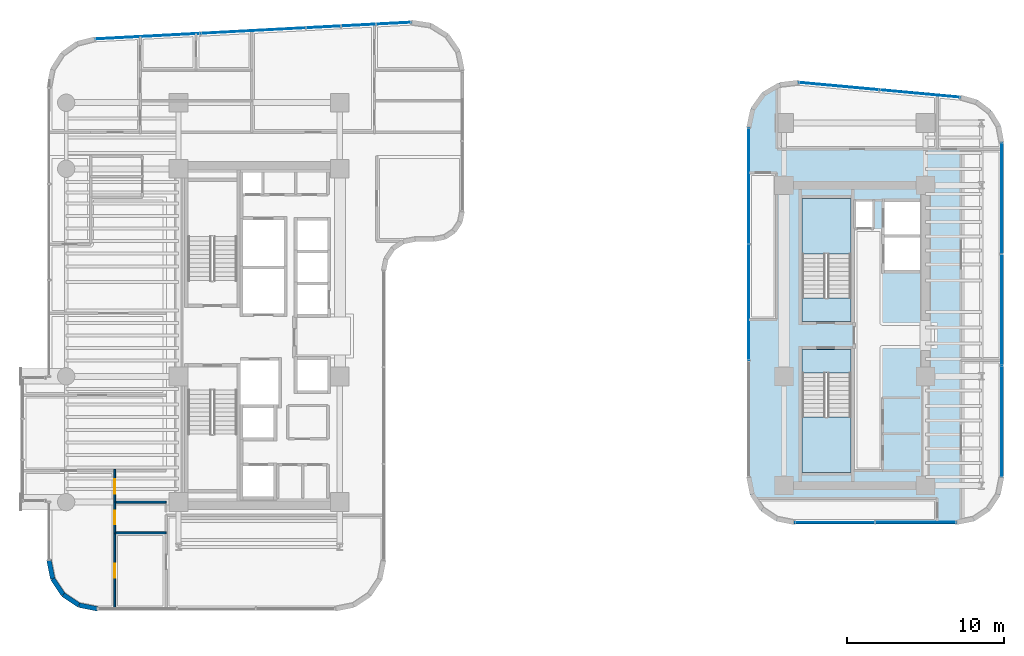
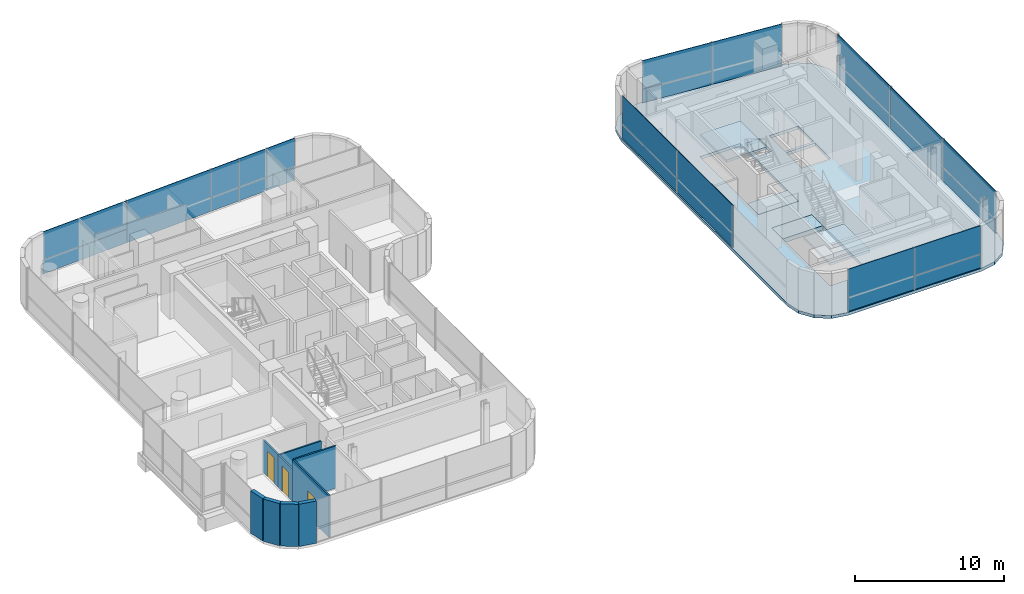
# One storey, part 25 of 34: 23 plates, 9 walls, 5 slabs, 3 doors, 3 openings, 7 elements without a shape of their own.
"""IFC4 building model written with IfcOpenShell, lengths in metres."""

from ifc_helpers import new_model, si_unit, direction, frame, frame_2d, origin, origin_2d, place, context, subcontext, project, spatial, polyline, rectangle, outline, extrude, source, transform, mapped, material, layer, layer_set, type_object, element, fill, aggregate, save


model = new_model("IFC4")

# Units and contexts
model_context = context("Model", 3, precision=1e-05, world=origin(), true_north=direction((0.0, 1.0)))
body_context = subcontext(model_context, "Body", "Model", "MODEL_VIEW")
ifc_project = project(units=[si_unit("LENGTHUNIT", "METRE"), si_unit("AREAUNIT", "SQUARE_METRE"), si_unit("VOLUMEUNIT", "CUBIC_METRE"), si_unit("PLANEANGLEUNIT", "RADIAN"), si_unit("MASSUNIT", "GRAM", prefix="KILO")], contexts=[model_context])

# Site, building, storey
site_placement = place(None, origin())
site = spatial("IfcSite", under=ifc_project, at=site_placement, CompositionType="ELEMENT")
building_placement = place(site_placement, origin())
building = spatial("IfcBuilding", under=site, at=building_placement, Name="Valdorenza Pilgrim Sanctuary Tower", CompositionType="ELEMENT")
storey_placement = place(building_placement, frame((0.0, 0.0, 161.199951171875)))
storey = spatial("IfcBuildingStorey", under=building, at=storey_placement, Name="L41", CompositionType="ELEMENT", Elevation=161.199951171875)

# Slab
ifc_material_1 = material(Name="Concrete C40/50", Category="concrete")
ifc_layer_1 = layer(ifc_material_1, 0.239990234375, Name="Concrete C40/50")
ifc_layer_set_1 = layer_set([ifc_layer_1], Name="Concrete C40/50")
slab_type_1 = type_object("IfcSlabType", Name="SLAB-FLR-220", PredefinedType="FLOOR", material=ifc_layer_set_1)
slab_1_placement = place(storey_placement, frame((0.0, 0.0, -0.239990234375)))
element("IfcSlab", 1, at=slab_1_placement, inside=storey, type_object=slab_type_1, Name="L41 Structural Floor Slab 2", PredefinedType="FLOOR", context=body_context, shape_type="SweptSolid", body=[
    extrude(outline(polyline([(13.5, 13.211181640625), (13.75537109375, 14.422607421875), (14.478271484375, 15.427490234375), (15.54541015625, 16.055419921875), (16.77490234375, 16.198486328125), (27.074951171875, 15.250732421875), (28.135986328125, 14.949462890625), (29.016357421875, 14.28515625), (29.59716796875, 13.34765625), (29.800048828125, 12.263427734375), (29.800048828125, -9.0), (29.571533203125, -10.148193359375), (28.92138671875, -11.121337890625), (27.947998046875, -11.771484375), (26.800048828125, -12.0), (16.5, -12.0), (15.351806640625, -11.771484375), (14.378662109375, -11.121337890625), (13.728515625, -10.148193359375), (13.5, -9.0), (13.5, 13.211181640625)]), holes=[polyline([(17.0, -8.699951171875), (20.110107421875, -8.699951171875), (20.110107421875, -2.385009765625), (20.110107421875, -0.89990234375), (17.0, -0.89990234375), (17.0, -2.385009765625), (17.0, -8.699951171875)]), polyline([(17.0, 0.89990234375), (20.110107421875, 0.89990234375), (20.110107421875, 2.385009765625), (20.110107421875, 8.699951171875), (17.0, 8.699951171875), (17.0, 2.385009765625), (17.0, 0.89990234375)]), polyline([(22.25, 4.14990234375), (24.47998046875, 4.14990234375), (24.47998046875, 6.22509765625), (22.25, 6.22509765625), (22.25, 4.14990234375)]), polyline([(22.25, 6.425048828125), (24.47998046875, 6.425048828125), (24.47998046875, 8.5), (22.25, 8.5), (22.25, 6.425048828125)]), polyline([(20.409912109375, 6.860107421875), (21.489990234375, 6.860107421875), (21.489990234375, 8.52001953125), (20.409912109375, 8.52001953125), (20.409912109375, 6.860107421875)])]), origin(), (0.0, 0.0, 1.0), 0.239990234375),
])

# Stair, slab
stair_type = type_object("IfcStairType", Name="STR-DOG-CORE", PredefinedType="HALF_TURN_STAIR", material=ifc_material_1)
stair_1_placement = place(storey_placement, origin())
stair_1 = element("IfcStair", 2, at=stair_1_placement, inside=storey, type_object=stair_type, Name="L41 ST-B1", PredefinedType="HALF_TURN_STAIR")
ifc_layer_2 = layer(ifc_material_1, 0.199951171875, Name="Concrete C40/50")
ifc_layer_set_2 = layer_set([ifc_layer_2], Name="Concrete C40/50")
slab_type_2 = type_object("IfcSlabType", Name="SLAB-STL-200", PredefinedType="LANDING", material=ifc_layer_set_2)
slab_2_placement = place(storey_placement, frame((0.0, 0.0, 1.650146484375)))
slab_2 = element("IfcSlab", 3, at=slab_2_placement, type_object=slab_type_2, Name="ST-B1 landing 1", PredefinedType="LANDING", context=body_context, shape_type="SweptSolid", body=[
    extrude(outline(polyline([(20.110107421875, 5.179931640625), (20.110107421875, 8.699951171875), (17.0, 8.699951171875), (17.0, 5.179931640625), (20.110107421875, 5.179931640625)])), origin(), (0.0, 0.0, 1.0), 0.199951171875),
])
aggregate(stair_1, [slab_2])

stair_2_placement = place(storey_placement, origin())
stair_2 = element("IfcStair", 4, at=stair_2_placement, inside=storey, type_object=stair_type, Name="L41 ST-B2", PredefinedType="HALF_TURN_STAIR")
slab_3_placement = place(storey_placement, frame((0.0, 0.0, 1.650146484375)))
slab_3 = element("IfcSlab", 5, at=slab_3_placement, type_object=slab_type_2, Name="ST-B2 landing 1", PredefinedType="LANDING", context=body_context, shape_type="SweptSolid", body=[
    extrude(outline(polyline([(17.0, -5.179931640625), (17.0, -8.699951171875), (20.110107421875, -8.699951171875), (20.110107421875, -5.179931640625), (17.0, -5.179931640625)])), origin(), (0.0, 0.0, 1.0), 0.199951171875),
])
aggregate(stair_2, [slab_3])

# Slabs
ifc_material_2 = material(Name="Concrete C50/60", Category="concrete")
ifc_layer_3 = layer(ifc_material_2, 0.39990234375, Name="Concrete C50/60")
ifc_layer_set_3 = layer_set([ifc_layer_3], Name="Concrete C50/60")
slab_type_3 = type_object("IfcSlabType", Name="SLAB-TRF-400", PredefinedType="FLOOR", material=ifc_layer_set_3)
slab_4_placement = place(storey_placement, frame((0.0, 0.0, -0.35986328125)))
element("IfcSlab", 6, at=slab_4_placement, inside=storey, type_object=slab_type_3, Name="L41 ST-B1 Structural Stair Landing Bearing Slab", PredefinedType="FLOOR", context=body_context, shape_type="SweptSolid", body=[
    extrude(outline(polyline([(17.0, 0.89990234375), (20.110107421875, 0.89990234375), (20.110107421875, 2.385009765625), (17.0, 2.385009765625), (17.0, 0.89990234375)])), origin(), (0.0, 0.0, 1.0), 0.35986328125),
])
slab_5_placement = place(storey_placement, frame((0.0, 0.0, -0.35986328125)))
element("IfcSlab", 7, at=slab_5_placement, inside=storey, type_object=slab_type_3, Name="L41 ST-B2 Structural Stair Landing Bearing Slab", PredefinedType="FLOOR", context=body_context, shape_type="SweptSolid", body=[
    extrude(outline(polyline([(17.0, -2.385009765625), (20.110107421875, -2.385009765625), (20.110107421875, -0.89990234375), (17.0, -0.89990234375), (17.0, -2.385009765625)])), origin(), (0.0, 0.0, 1.0), 0.35986328125),
])

# Curtain wall, plates
ifc_material_3 = material(Name="Curtain-wall IGU glazing", Category="glass")
curtain_wall_type_1 = type_object("IfcCurtainWallType", Name="CW-SYS-02", PredefinedType="NOTDEFINED", material=ifc_material_3)
curtain_wall_1_placement = place(storey_placement, origin())
curtain_wall_1 = element("IfcCurtainWall", 8, at=curtain_wall_1_placement, inside=storey, type_object=curtain_wall_type_1, Name="L41 Curtain Wall CW-L41-1-6", PredefinedType="NOTDEFINED")
ifc_material_4 = material(Name="Honed travertine limestone", Category="masonry")
ifc_layer_4 = layer(ifc_material_4, 0.050048828125, Name="Honed travertine limestone")
ifc_layer_set_4 = layer_set([ifc_layer_4], Name="Honed travertine limestone")
plate_type_1 = type_object("IfcPlateType", Name="CW-SPN-TRV", PredefinedType="USERDEFINED", material=ifc_layer_set_4)
shared_shape_1 = source(origin(), body_context, "Body", "SweptSolid", [
    extrude(rectangle(XDim=6.68212890625, YDim=0.06005859375, at=origin_2d()), origin(), (0.0, 0.0, 1.0), 1.10009765625),
])
plate_1_placement = place(storey_placement, frame((-24.606201171875, 19.027587890625, 0.010009765625), z_axis=(0.0, 0.0, 1.0), x_axis=(0.998607524712, 0.052754256601, 0.0)))
plate_1 = element("IfcPlate", 9, at=plate_1_placement, type_object=plate_type_1, Name="CW-L41-1-6 Travertine Spandrel 1", ObjectType="SPANDREL", PredefinedType="USERDEFINED", context=body_context, shape_type="MappedRepresentation", body=[
    mapped(shared_shape_1, transform((0.0, 0.0, 0.0), x_axis=(1.0, 0.0, 0.0), y_axis=(0.0, 1.0, 0.0), z_axis=(0.0, 0.0, 1.0), scale=1.0)),
])
ifc_material_5 = material(Name="Ceramic-fritted low-E IGU glazing", Category="glass")
ifc_layer_5 = layer(ifc_material_5, 0.035888671875, Name="Ceramic-fritted low-E IGU glazing")
ifc_layer_set_5 = layer_set([ifc_layer_5], Name="Ceramic-fritted low-E IGU glazing")
plate_type_2 = type_object("IfcPlateType", Name="CW-GLZ-IGU", PredefinedType="USERDEFINED", material=ifc_layer_set_5)
shared_shape_2 = source(origin(), body_context, "Body", "SweptSolid", [
    extrude(rectangle(XDim=6.68212890625, YDim=0.050048828125, at=origin_2d()), origin(), (0.0, 0.0, 1.0), 2.320068359375),
])
plate_2_placement = place(storey_placement, frame((-24.606201171875, 19.027587890625, 1.1298828125), z_axis=(0.0, 0.0, 1.0), x_axis=(0.998607524712, 0.052754256601, 0.0)))
plate_2 = element("IfcPlate", 10, at=plate_2_placement, type_object=plate_type_2, Name="CW-L41-1-6 Facade Panel 1", ObjectType="GLAZING", PredefinedType="USERDEFINED", context=body_context, shape_type="MappedRepresentation", body=[
    mapped(shared_shape_2, transform((0.0, 0.0, 0.0), x_axis=(1.0, 0.0, 0.0), y_axis=(0.0, 1.0, 0.0), z_axis=(0.0, 0.0, 1.0), scale=1.0)),
])
shared_shape_3 = source(origin(), body_context, "Body", "SweptSolid", [
    extrude(rectangle(XDim=6.68212890625, YDim=0.050048828125, at=origin_2d()), origin(), (0.0, 0.0, 1.0), 3.43994140625),
])
plate_3_placement = place(storey_placement, frame((-17.913330078125, 19.381103515625, 0.010009765625), z_axis=(0.0, 0.0, 1.0), x_axis=(0.998607524712, 0.052754256601, 0.0)))
plate_3 = element("IfcPlate", 11, at=plate_3_placement, type_object=plate_type_2, Name="CW-L41-1-6 Full-Height Facade Panel 2", ObjectType="GLAZING", PredefinedType="USERDEFINED", context=body_context, shape_type="MappedRepresentation", body=[
    mapped(shared_shape_3, transform((0.0, 0.0, 0.0), x_axis=(1.0, 0.0, 0.0), y_axis=(0.0, 1.0, 0.0), z_axis=(0.0, 0.0, 1.0), scale=1.0)),
])

curtain_wall_type_2 = type_object("IfcCurtainWallType", Name="CW-SYS-03", PredefinedType="NOTDEFINED", material=ifc_material_3)
curtain_wall_2_placement = place(storey_placement, origin())
curtain_wall_2 = element("IfcCurtainWall", 12, at=curtain_wall_2_placement, inside=storey, type_object=curtain_wall_type_2, Name="L41 Curtain Wall CW-L41-2-1", PredefinedType="NOTDEFINED")
shared_shape_4 = source(origin(), body_context, "Body", "SweptSolid", [
    extrude(rectangle(XDim=7.376220703125, YDim=0.06005859375, at=origin_2d()), origin(), (0.0, 0.0, 1.0), 1.10009765625),
])
plate_4_placement = place(storey_placement, frame((13.610107421875, 9.501708984375, 0.010009765625), z_axis=(0.0, 0.0, 1.0), x_axis=(0.0, 1.0, 0.0)))
plate_4 = element("IfcPlate", 13, at=plate_4_placement, type_object=plate_type_1, Name="CW-L41-2-1 Travertine Spandrel 3", ObjectType="SPANDREL", PredefinedType="USERDEFINED", context=body_context, shape_type="MappedRepresentation", body=[
    mapped(shared_shape_4, transform((0.0, 0.0, 0.0), x_axis=(1.0, 0.0, 0.0), y_axis=(0.0, 1.0, 0.0), z_axis=(0.0, 0.0, 1.0), scale=1.0)),
])
shared_shape_5 = source(origin(), body_context, "Body", "SweptSolid", [
    extrude(rectangle(XDim=7.376220703125, YDim=0.050048828125, at=origin_2d()), origin(), (0.0, 0.0, 1.0), 2.320068359375),
])
plate_5_placement = place(storey_placement, frame((13.610107421875, 9.501708984375, 1.1298828125), z_axis=(0.0, 0.0, 1.0), x_axis=(0.0, 1.0, 0.0)))
plate_5 = element("IfcPlate", 14, at=plate_5_placement, type_object=plate_type_2, Name="CW-L41-2-1 Facade Panel 3", ObjectType="GLAZING", PredefinedType="USERDEFINED", context=body_context, shape_type="MappedRepresentation", body=[
    mapped(shared_shape_5, transform((0.0, 0.0, 0.0), x_axis=(1.0, 0.0, 0.0), y_axis=(0.0, 1.0, 0.0), z_axis=(0.0, 0.0, 1.0), scale=1.0)),
])
shared_shape_6 = source(origin(), body_context, "Body", "SweptSolid", [
    extrude(rectangle(XDim=7.376220703125, YDim=0.050048828125, at=origin_2d()), origin(), (0.0, 0.0, 1.0), 3.43994140625),
])
plate_6_placement = place(storey_placement, frame((13.610107421875, 2.105224609375, 0.010009765625), z_axis=(0.0, 0.0, 1.0), x_axis=(0.0, 1.0, 0.0)))
plate_6 = element("IfcPlate", 15, at=plate_6_placement, type_object=plate_type_2, Name="CW-L41-2-1 Full-Height Facade Panel 2", ObjectType="GLAZING", PredefinedType="USERDEFINED", context=body_context, shape_type="MappedRepresentation", body=[
    mapped(shared_shape_6, transform((0.0, 0.0, 0.0), x_axis=(1.0, 0.0, 0.0), y_axis=(0.0, 1.0, 0.0), z_axis=(0.0, 0.0, 1.0), scale=1.0)),
])
aggregate(curtain_wall_2, [plate_6, plate_4, plate_5])

curtain_wall_3_placement = place(storey_placement, origin())
curtain_wall_3 = element("IfcCurtainWall", 16, at=curtain_wall_3_placement, inside=storey, type_object=curtain_wall_type_2, Name="L41 Curtain Wall CW-L41-2-6", PredefinedType="NOTDEFINED")
shared_shape_7 = source(origin(), body_context, "Body", "SweptSolid", [
    extrude(rectangle(XDim=5.14111328125, YDim=0.06005859375, at=origin_2d()), origin(), (0.0, 0.0, 1.0), 1.10009765625),
])
plate_7_placement = place(storey_placement, frame((19.345703125, 15.8515625, 0.010009765625), z_axis=(0.0, 0.0, 1.0), x_axis=(0.995793741111, -0.091623278503, 0.0)))
plate_7 = element("IfcPlate", 17, at=plate_7_placement, type_object=plate_type_1, Name="CW-L41-2-6 Travertine Spandrel 1", ObjectType="SPANDREL", PredefinedType="USERDEFINED", context=body_context, shape_type="MappedRepresentation", body=[
    mapped(shared_shape_7, transform((0.0, 0.0, 0.0), x_axis=(1.0, 0.0, 0.0), y_axis=(0.0, 1.0, 0.0), z_axis=(0.0, 0.0, 1.0), scale=1.0)),
])
shared_shape_8 = source(origin(), body_context, "Body", "SweptSolid", [
    extrude(rectangle(XDim=5.14111328125, YDim=0.050048828125, at=origin_2d()), origin(), (0.0, 0.0, 1.0), 2.320068359375),
])
plate_8_placement = place(storey_placement, frame((19.345703125, 15.8515625, 1.1298828125), z_axis=(0.0, 0.0, 1.0), x_axis=(0.995793741111, -0.091623278503, 0.0)))
plate_8 = element("IfcPlate", 18, at=plate_8_placement, type_object=plate_type_2, Name="CW-L41-2-6 Facade Panel 1", ObjectType="GLAZING", PredefinedType="USERDEFINED", context=body_context, shape_type="MappedRepresentation", body=[
    mapped(shared_shape_8, transform((0.0, 0.0, 0.0), x_axis=(1.0, 0.0, 0.0), y_axis=(0.0, 1.0, 0.0), z_axis=(0.0, 0.0, 1.0), scale=1.0)),
])
shared_shape_9 = source(origin(), body_context, "Body", "SweptSolid", [
    extrude(rectangle(XDim=5.14111328125, YDim=0.050048828125, at=origin_2d()), origin(), (0.0, 0.0, 1.0), 3.43994140625),
])
plate_9_placement = place(storey_placement, frame((24.485107421875, 15.378662109375, 0.010009765625), z_axis=(0.0, 0.0, 1.0), x_axis=(0.995793741111, -0.091623278503, 0.0)))
plate_9 = element("IfcPlate", 19, at=plate_9_placement, type_object=plate_type_2, Name="CW-L41-2-6 Full-Height Facade Panel 2", ObjectType="GLAZING", PredefinedType="USERDEFINED", context=body_context, shape_type="MappedRepresentation", body=[
    mapped(shared_shape_9, transform((0.0, 0.0, 0.0), x_axis=(1.0, 0.0, 0.0), y_axis=(0.0, 1.0, 0.0), z_axis=(0.0, 0.0, 1.0), scale=1.0)),
])
aggregate(curtain_wall_3, [plate_7, plate_8, plate_9])

curtain_wall_4_placement = place(storey_placement, origin())
curtain_wall_4 = element("IfcCurtainWall", 20, at=curtain_wall_4_placement, inside=storey, type_object=curtain_wall_type_2, Name="L41 Curtain Wall CW-L41-2-11", PredefinedType="NOTDEFINED")
shared_shape_10 = source(origin(), body_context, "Body", "SweptSolid", [
    extrude(rectangle(XDim=7.060791015625, YDim=0.06005859375, at=origin_2d()), origin(), (0.0, 0.0, 1.0), 1.10009765625),
])
plate_10_placement = place(storey_placement, frame((29.68994140625, 8.712890625, 0.010009765625), z_axis=(0.0, 0.0, 1.0), x_axis=(0.0, -1.0, 0.0)))
plate_10 = element("IfcPlate", 21, at=plate_10_placement, type_object=plate_type_1, Name="CW-L41-2-11 Travertine Spandrel 1", ObjectType="SPANDREL", PredefinedType="USERDEFINED", context=body_context, shape_type="MappedRepresentation", body=[
    mapped(shared_shape_10, transform((0.0, 0.0, 0.0), x_axis=(1.0, 0.0, 0.0), y_axis=(0.0, 1.0, 0.0), z_axis=(0.0, 0.0, 1.0), scale=1.0)),
])
plate_11_placement = place(storey_placement, frame((29.68994140625, -5.44873046875, 0.010009765625), z_axis=(0.0, 0.0, 1.0), x_axis=(0.0, -1.0, 0.0)))
plate_11 = element("IfcPlate", 22, at=plate_11_placement, type_object=plate_type_1, Name="CW-L41-2-11 Travertine Spandrel 3", ObjectType="SPANDREL", PredefinedType="USERDEFINED", context=body_context, shape_type="MappedRepresentation", body=[
    mapped(shared_shape_10, transform((0.0, 0.0, 0.0), x_axis=(1.0, 0.0, 0.0), y_axis=(0.0, 1.0, 0.0), z_axis=(0.0, 0.0, 1.0), scale=1.0)),
])
shared_shape_11 = source(origin(), body_context, "Body", "SweptSolid", [
    extrude(rectangle(XDim=7.060791015625, YDim=0.050048828125, at=origin_2d()), origin(), (0.0, 0.0, 1.0), 2.320068359375),
])
plate_12_placement = place(storey_placement, frame((29.68994140625, 8.712890625, 1.1298828125), z_axis=(0.0, 0.0, 1.0), x_axis=(0.0, -1.0, 0.0)))
plate_12 = element("IfcPlate", 23, at=plate_12_placement, type_object=plate_type_2, Name="CW-L41-2-11 Facade Panel 1", ObjectType="GLAZING", PredefinedType="USERDEFINED", context=body_context, shape_type="MappedRepresentation", body=[
    mapped(shared_shape_11, transform((0.0, 0.0, 0.0), x_axis=(1.0, 0.0, 0.0), y_axis=(0.0, 1.0, 0.0), z_axis=(0.0, 0.0, 1.0), scale=1.0)),
])
plate_13_placement = place(storey_placement, frame((29.68994140625, -5.44873046875, 1.1298828125), z_axis=(0.0, 0.0, 1.0), x_axis=(0.0, -1.0, 0.0)))
plate_13 = element("IfcPlate", 24, at=plate_13_placement, type_object=plate_type_2, Name="CW-L41-2-11 Facade Panel 3", ObjectType="GLAZING", PredefinedType="USERDEFINED", context=body_context, shape_type="MappedRepresentation", body=[
    mapped(shared_shape_11, transform((0.0, 0.0, 0.0), x_axis=(1.0, 0.0, 0.0), y_axis=(0.0, 1.0, 0.0), z_axis=(0.0, 0.0, 1.0), scale=1.0)),
])
shared_shape_12 = source(origin(), body_context, "Body", "SweptSolid", [
    extrude(rectangle(XDim=7.060791015625, YDim=0.050048828125, at=origin_2d()), origin(), (0.0, 0.0, 1.0), 3.43994140625),
])
plate_14_placement = place(storey_placement, frame((29.68994140625, 1.632080078125, 0.010009765625), z_axis=(0.0, 0.0, 1.0), x_axis=(0.0, -1.0, 0.0)))
plate_14 = element("IfcPlate", 25, at=plate_14_placement, type_object=plate_type_2, Name="CW-L41-2-11 Full-Height Facade Panel 2", ObjectType="GLAZING", PredefinedType="USERDEFINED", context=body_context, shape_type="MappedRepresentation", body=[
    mapped(shared_shape_12, transform((0.0, 0.0, 0.0), x_axis=(1.0, 0.0, 0.0), y_axis=(0.0, 1.0, 0.0), z_axis=(0.0, 0.0, 1.0), scale=1.0)),
])
aggregate(curtain_wall_4, [plate_10, plate_12, plate_14, plate_11, plate_13])

curtain_wall_5_placement = place(storey_placement, origin())
curtain_wall_5 = element("IfcCurtainWall", 26, at=curtain_wall_5_placement, inside=storey, type_object=curtain_wall_type_2, Name="L41 Curtain Wall CW-L41-2-16", PredefinedType="NOTDEFINED")
shared_shape_13 = source(origin(), body_context, "Body", "SweptSolid", [
    extrude(rectangle(XDim=5.119140625, YDim=0.06005859375, at=origin_2d()), origin(), (0.0, 0.0, 1.0), 1.10009765625),
])
plate_15_placement = place(storey_placement, frame((24.219482421875, -11.889892578125, 0.010009765625), z_axis=(0.0, 0.0, 1.0), x_axis=(-1.0, 0.0, 0.0)))
plate_15 = element("IfcPlate", 27, at=plate_15_placement, type_object=plate_type_1, Name="CW-L41-2-16 Travertine Spandrel 1", ObjectType="SPANDREL", PredefinedType="USERDEFINED", context=body_context, shape_type="MappedRepresentation", body=[
    mapped(shared_shape_13, transform((0.0, 0.0, 0.0), x_axis=(1.0, 0.0, 0.0), y_axis=(0.0, 1.0, 0.0), z_axis=(0.0, 0.0, 1.0), scale=1.0)),
])
shared_shape_14 = source(origin(), body_context, "Body", "SweptSolid", [
    extrude(rectangle(XDim=5.119140625, YDim=0.050048828125, at=origin_2d()), origin(), (0.0, 0.0, 1.0), 2.320068359375),
])
plate_16_placement = place(storey_placement, frame((24.219482421875, -11.889892578125, 1.1298828125), z_axis=(0.0, 0.0, 1.0), x_axis=(-1.0, 0.0, 0.0)))
plate_16 = element("IfcPlate", 28, at=plate_16_placement, type_object=plate_type_2, Name="CW-L41-2-16 Facade Panel 1", ObjectType="GLAZING", PredefinedType="USERDEFINED", context=body_context, shape_type="MappedRepresentation", body=[
    mapped(shared_shape_14, transform((0.0, 0.0, 0.0), x_axis=(1.0, 0.0, 0.0), y_axis=(0.0, 1.0, 0.0), z_axis=(0.0, 0.0, 1.0), scale=1.0)),
])
shared_shape_15 = source(origin(), body_context, "Body", "SweptSolid", [
    extrude(rectangle(XDim=5.119140625, YDim=0.050048828125, at=origin_2d()), origin(), (0.0, 0.0, 1.0), 3.43994140625),
])
plate_17_placement = place(storey_placement, frame((19.080322265625, -11.889892578125, 0.010009765625), z_axis=(0.0, 0.0, 1.0), x_axis=(-1.0, 0.0, 0.0)))
plate_17 = element("IfcPlate", 29, at=plate_17_placement, type_object=plate_type_2, Name="CW-L41-2-16 Full-Height Facade Panel 2", ObjectType="GLAZING", PredefinedType="USERDEFINED", context=body_context, shape_type="MappedRepresentation", body=[
    mapped(shared_shape_15, transform((0.0, 0.0, 0.0), x_axis=(1.0, 0.0, 0.0), y_axis=(0.0, 1.0, 0.0), z_axis=(0.0, 0.0, 1.0), scale=1.0)),
])
aggregate(curtain_wall_5, [plate_15, plate_16, plate_17])

# Plate
shared_shape_16 = source(origin(), body_context, "Body", "SweptSolid", [
    extrude(rectangle(XDim=2.20751953125, YDim=0.050048828125, at=origin_2d()), origin(), (0.0, 0.0, 1.0), 2.320068359375),
])
plate_18_placement = place(storey_placement, frame((-13.44482421875, 19.6171875, 1.1298828125), z_axis=(0.0, 0.0, 1.0), x_axis=(0.998607524712, 0.052754256601, 0.0)))
plate_18 = element("IfcPlate", 30, at=plate_18_placement, type_object=plate_type_2, Name="CW-L41-1-6 Facade Panel 3 Sub 1", ObjectType="GLAZING", PredefinedType="USERDEFINED", context=body_context, shape_type="MappedRepresentation", body=[
    mapped(shared_shape_16, transform((0.0, 0.0, 0.0), x_axis=(1.0, 0.0, 0.0), y_axis=(0.0, 1.0, 0.0), z_axis=(0.0, 0.0, 1.0), scale=1.0)),
])

plate_19_placement = place(storey_placement, frame((-11.220703125, 19.73486328125, 1.1298828125), z_axis=(0.0, 0.0, 1.0), x_axis=(0.998607524712, 0.052754256601, 0.0)))
plate_19 = element("IfcPlate", 31, at=plate_19_placement, type_object=plate_type_2, Name="CW-L41-1-6 Facade Panel 3 Sub 2", ObjectType="GLAZING", PredefinedType="USERDEFINED", context=body_context, shape_type="MappedRepresentation", body=[
    mapped(shared_shape_16, transform((0.0, 0.0, 0.0), x_axis=(1.0, 0.0, 0.0), y_axis=(0.0, 1.0, 0.0), z_axis=(0.0, 0.0, 1.0), scale=1.0)),
])

plate_20_placement = place(storey_placement, frame((-8.996337890625, 19.852294921875, 1.1298828125), z_axis=(0.0, 0.0, 1.0), x_axis=(0.998607524712, 0.052754256601, 0.0)))
plate_20 = element("IfcPlate", 32, at=plate_20_placement, type_object=plate_type_2, Name="CW-L41-1-6 Facade Panel 3 Sub 3", ObjectType="GLAZING", PredefinedType="USERDEFINED", context=body_context, shape_type="MappedRepresentation", body=[
    mapped(shared_shape_16, transform((0.0, 0.0, 0.0), x_axis=(1.0, 0.0, 0.0), y_axis=(0.0, 1.0, 0.0), z_axis=(0.0, 0.0, 1.0), scale=1.0)),
])

shared_shape_17 = source(origin(), body_context, "Body", "SweptSolid", [
    extrude(rectangle(XDim=2.20751953125, YDim=0.06005859375, at=origin_2d()), origin(), (0.0, 0.0, 1.0), 1.10009765625),
])
plate_21_placement = place(storey_placement, frame((-13.44482421875, 19.6171875, 0.010009765625), z_axis=(0.0, 0.0, 1.0), x_axis=(0.998607524712, 0.052754256601, 0.0)))
plate_21 = element("IfcPlate", 33, at=plate_21_placement, type_object=plate_type_1, Name="CW-L41-1-6 Travertine Spandrel 3 Sub 1", ObjectType="SPANDREL", PredefinedType="USERDEFINED", context=body_context, shape_type="MappedRepresentation", body=[
    mapped(shared_shape_17, transform((0.0, 0.0, 0.0), x_axis=(1.0, 0.0, 0.0), y_axis=(0.0, 1.0, 0.0), z_axis=(0.0, 0.0, 1.0), scale=1.0)),
])

plate_22_placement = place(storey_placement, frame((-11.220703125, 19.73486328125, 0.010009765625), z_axis=(0.0, 0.0, 1.0), x_axis=(0.998607524712, 0.052754256601, 0.0)))
plate_22 = element("IfcPlate", 34, at=plate_22_placement, type_object=plate_type_1, Name="CW-L41-1-6 Travertine Spandrel 3 Sub 2", ObjectType="SPANDREL", PredefinedType="USERDEFINED", context=body_context, shape_type="MappedRepresentation", body=[
    mapped(shared_shape_17, transform((0.0, 0.0, 0.0), x_axis=(1.0, 0.0, 0.0), y_axis=(0.0, 1.0, 0.0), z_axis=(0.0, 0.0, 1.0), scale=1.0)),
])

plate_23_placement = place(storey_placement, frame((-8.996337890625, 19.852294921875, 0.010009765625), z_axis=(0.0, 0.0, 1.0), x_axis=(0.998607524712, 0.052754256601, 0.0)))
plate_23 = element("IfcPlate", 35, at=plate_23_placement, type_object=plate_type_1, Name="CW-L41-1-6 Travertine Spandrel 3 Sub 3", ObjectType="SPANDREL", PredefinedType="USERDEFINED", context=body_context, shape_type="MappedRepresentation", body=[
    mapped(shared_shape_17, transform((0.0, 0.0, 0.0), x_axis=(1.0, 0.0, 0.0), y_axis=(0.0, 1.0, 0.0), z_axis=(0.0, 0.0, 1.0), scale=1.0)),
])

aggregate(curtain_wall_1, [plate_1, plate_2, plate_3, plate_18, plate_21, plate_19, plate_22, plate_20, plate_23])

# Walls
ifc_layer_6 = layer(ifc_material_4, 0.300048828125, Name="Honed travertine limestone")
ifc_layer_set_6 = layer_set([ifc_layer_6], Name="Honed travertine limestone")
wall_type_1 = type_object("IfcWallType", Name="WAL-EXT-300", PredefinedType="SOLIDWALL", material=ifc_layer_set_6)
wall_1_placement = place(storey_placement, frame((-27.789306640625, -17.389892578125, 0.0), z_axis=(0.0, 0.0, 1.0), x_axis=(-0.980804027463, 0.194996050505, 0.0)))
element("IfcWall", 36, at=wall_1_placement, inside=storey, type_object=wall_type_1, Name="L41 Rounded Wind-Corner Stone Pier 27", PredefinedType="SOLIDWALL", context=body_context, shape_type="SweptSolid", body=[
    extrude(rectangle(XDim=1.2158203125, YDim=0.300048828125, at=frame_2d((0.60791015625, 0.0))), origin(), (0.0, 0.0, 1.0), 3.4599609375),
])
for number, where, z_axis, x_axis, name in (
    (37, (-28.981689453125, -17.15283203125, 0.0), (0.0, 0.0, 1.0), (-0.831426265255, 0.555635100982, 0.0), "L41 Rounded Wind-Corner Stone Pier 28"),
    (38, (-29.9833984375, -16.4833984375, 0.0), (0.0, 0.0, 1.0), (-0.555635100982, 0.831426265255, 0.0), "L41 Rounded Wind-Corner Stone Pier 29"),
):
    element("IfcWall", number, at=place(storey_placement, frame(where, z_axis=z_axis, x_axis=x_axis)), inside=storey, type_object=wall_type_1, Name=name, PredefinedType="SOLIDWALL", context=body_context, shape_type="SweptSolid", body=[
        extrude(rectangle(XDim=1.204833984375, YDim=0.300048828125, at=frame_2d((0.6025390625, 0.0))), origin(), (0.0, 0.0, 1.0), 3.4599609375),
    ])
wall_2_placement = place(storey_placement, frame((-30.65283203125, -15.481689453125, 0.0), z_axis=(0.0, 0.0, 1.0), x_axis=(-0.194996050505, 0.980804027463, 0.0)))
element("IfcWall", 39, at=wall_2_placement, inside=storey, type_object=wall_type_1, Name="L41 Rounded Wind-Corner Stone Pier 30", PredefinedType="SOLIDWALL", context=body_context, shape_type="SweptSolid", body=[
    extrude(rectangle(XDim=1.2158203125, YDim=0.300048828125, at=frame_2d((0.60791015625, 0.0))), origin(), (0.0, 0.0, 1.0), 3.4599609375),
])
ifc_material_6 = material(Name="Moisture-resistant gypsum partition", Category="gypsum")
ifc_layer_7 = layer(ifc_material_6, 0.1201171875, Name="Moisture-resistant gypsum partition")
ifc_layer_set_7 = layer_set([ifc_layer_7], Name="Moisture-resistant gypsum partition")
wall_type_2 = type_object("IfcWallType", Name="WAL-INT-120", PredefinedType="PARTITIONING", material=ifc_layer_set_7)
wall_3_placement = place(storey_placement, frame((-26.70849609375, -10.60009765625, 0.0), z_axis=(0.0, 0.0, 1.0), x_axis=(1.0, 0.0, 0.0)))
element("IfcWall", 40, at=wall_3_placement, inside=storey, type_object=wall_type_2, Name="L41 Sanctuary Apartment L41-CS1 Bath-Kitchen Wall", PredefinedType="PARTITIONING", context=body_context, shape_type="SweptSolid", body=[
    extrude(rectangle(XDim=3.258544921875, YDim=0.1201171875, at=frame_2d((1.62939453125, 0.0))), origin(), (0.0, 0.0, 1.0), 2.666015625),
])
wall_4_placement = place(storey_placement, frame((-26.70849609375, -12.550048828125, 0.0), z_axis=(0.0, 0.0, 1.0), x_axis=(1.0, 0.0, 0.0)))
element("IfcWall", 41, at=wall_4_placement, inside=storey, type_object=wall_type_2, Name="L41 Sanctuary Apartment L41-CS1 Kitchen-Bedroom Wall", PredefinedType="PARTITIONING", context=body_context, shape_type="SweptSolid", body=[
    extrude(rectangle(XDim=3.258544921875, YDim=0.1201171875, at=frame_2d((1.62939453125, 0.0))), origin(), (0.0, 0.0, 1.0), 3.4599609375),
])

# Wall, opening, door
wall_5_placement = place(storey_placement, frame((-26.70849609375, -12.550048828125, 0.0), z_axis=(0.0, 0.0, 1.0), x_axis=(0.0, 1.0, 0.0)))
wall_5 = element("IfcWall", 42, at=wall_5_placement, inside=storey, type_object=wall_type_2, Name="L41 Sanctuary Apartment L41-CS1 Bathroom Door Wall", PredefinedType="PARTITIONING", context=body_context, shape_type="SweptSolid", body=[
    extrude(rectangle(XDim=1.949951171875, YDim=0.1201171875, at=frame_2d((0.97509765625, 0.0))), origin(), (0.0, 0.0, 1.0), 2.666015625),
])
opening_1_placement = place(wall_5_placement, frame((0.550048828125, 0.0, 0.0)))
opening_1 = element("IfcOpeningElement", 43, at=opening_1_placement, cuts=wall_5, Name="Opening DR-WC1", PredefinedType="OPENING", context=body_context, shape_type="SweptSolid", body=[
    extrude(rectangle(XDim=0.85009765625, YDim=2.10009765625, at=frame_2d((0.425048828125, 1.050048828125))), frame((0.0, 0.074951171875, 0.0), z_axis=(0.0, -1.0, 0.0), x_axis=(1.0, 0.0, 0.0)), (0.0, 0.0, 1.0), 0.14990234375),
])
ifc_material_7 = material(Name="Moisture-resistant lacquered timber", Category="wood")
door_type_1 = type_object("IfcDoorType", Name="DR-BATH-850", OperationType="NOTDEFINED", PredefinedType="DOOR", material=ifc_material_7)
door_1_placement = place(opening_1_placement, origin())
door_1 = element("IfcDoor", 44, at=door_1_placement, inside=storey, type_object=door_type_1, Name="L41 Sanctuary Apartment L41-CS1 Bathroom Door", OperationType="SINGLE_SWING_RIGHT", OverallHeight=2.10009765625, OverallWidth=0.85009765625, PredefinedType="DOOR", context=body_context, shape_type="SweptSolid", body=[
    extrude(rectangle(XDim=0.85009765625, YDim=2.10009765625, at=frame_2d((0.425048828125, 1.050048828125))), frame((0.0, 0.02490234375, 0.0), z_axis=(0.0, -1.0, 0.0), x_axis=(1.0, 0.0, 0.0)), (0.0, 0.0, 1.0), 0.050048828125),
])
fill(opening_1, door_1)

wall_6_placement = place(storey_placement, frame((-26.70849609375, -10.60009765625, 0.0), z_axis=(0.0, 0.0, 1.0), x_axis=(0.0, 1.0, 0.0)))
wall_6 = element("IfcWall", 45, at=wall_6_placement, inside=storey, type_object=wall_type_2, Name="L41 Sanctuary Apartment L41-CS1 Kitchen Door Wall", PredefinedType="PARTITIONING", context=body_context, shape_type="SweptSolid", body=[
    extrude(rectangle(XDim=2.080078125, YDim=0.1201171875, at=frame_2d((1.0400390625, 0.0))), origin(), (0.0, 0.0, 1.0), 2.666015625),
])
opening_2_placement = place(wall_6_placement, frame((0.550048828125, 0.0, 0.0)))
opening_2 = element("IfcOpeningElement", 46, at=opening_2_placement, cuts=wall_6, Name="Opening DR-RM1", PredefinedType="OPENING", context=body_context, shape_type="SweptSolid", body=[
    extrude(rectangle(XDim=0.89990234375, YDim=2.10009765625, at=frame_2d((0.449951171875, 1.050048828125))), frame((0.0, 0.074951171875, 0.0), z_axis=(0.0, -1.0, 0.0), x_axis=(1.0, 0.0, 0.0)), (0.0, 0.0, 1.0), 0.14990234375),
])
ifc_material_8 = material(Name="Solid-core European oak timber", Category="wood")
door_type_2 = type_object("IfcDoorType", Name="DR-ROOM-900", OperationType="NOTDEFINED", PredefinedType="DOOR", material=ifc_material_8)
door_2_placement = place(opening_2_placement, origin())
door_2 = element("IfcDoor", 47, at=door_2_placement, inside=storey, type_object=door_type_2, Name="L41 Sanctuary Apartment L41-CS1 Kitchen Door", OperationType="SINGLE_SWING_LEFT", OverallHeight=2.10009765625, OverallWidth=0.89990234375, PredefinedType="DOOR", context=body_context, shape_type="SweptSolid", body=[
    extrude(rectangle(XDim=0.89990234375, YDim=2.10009765625, at=frame_2d((0.449951171875, 1.050048828125))), frame((0.0, 0.02490234375, 0.0), z_axis=(0.0, -1.0, 0.0), x_axis=(1.0, 0.0, 0.0)), (0.0, 0.0, 1.0), 0.050048828125),
])
fill(opening_2, door_2)

wall_7_placement = place(storey_placement, frame((-26.70849609375, -17.389892578125, 0.0), z_axis=(0.0, 0.0, 1.0), x_axis=(0.0, 1.0, 0.0)))
wall_7 = element("IfcWall", 48, at=wall_7_placement, inside=storey, type_object=wall_type_2, Name="L41 Sanctuary Apartment L41-CS1 Bedroom Door Wall", PredefinedType="PARTITIONING", context=body_context, shape_type="SweptSolid", body=[
    extrude(rectangle(XDim=4.83984375, YDim=0.1201171875, at=frame_2d((2.419921875, 0.0))), origin(), (0.0, 0.0, 1.0), 3.4599609375),
])
opening_3_placement = place(wall_7_placement, frame((1.969970703125, 0.0, 0.0)))
opening_3 = element("IfcOpeningElement", 49, at=opening_3_placement, cuts=wall_7, Name="Opening DR-RM1", PredefinedType="OPENING", context=body_context, shape_type="SweptSolid", body=[
    extrude(rectangle(XDim=0.89990234375, YDim=2.10009765625, at=frame_2d((0.449951171875, 1.050048828125))), frame((0.0, 0.074951171875, 0.0), z_axis=(0.0, -1.0, 0.0), x_axis=(1.0, 0.0, 0.0)), (0.0, 0.0, 1.0), 0.14990234375),
])
door_3_placement = place(opening_3_placement, origin())
door_3 = element("IfcDoor", 50, at=door_3_placement, inside=storey, type_object=door_type_2, Name="L41 Sanctuary Apartment L41-CS1 Bedroom Door", OperationType="SINGLE_SWING_RIGHT", OverallHeight=2.10009765625, OverallWidth=0.89990234375, PredefinedType="DOOR", context=body_context, shape_type="SweptSolid", body=[
    extrude(rectangle(XDim=0.89990234375, YDim=2.10009765625, at=frame_2d((0.449951171875, 1.050048828125))), frame((0.0, 0.02490234375, 0.0), z_axis=(0.0, -1.0, 0.0), x_axis=(1.0, 0.0, 0.0)), (0.0, 0.0, 1.0), 0.050048828125),
])
fill(opening_3, door_3)

save(model, "model.ifc")
